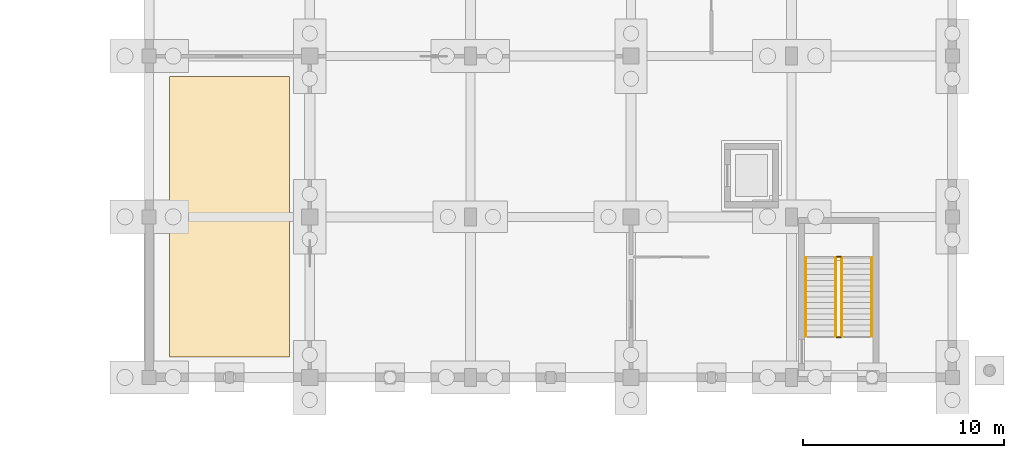
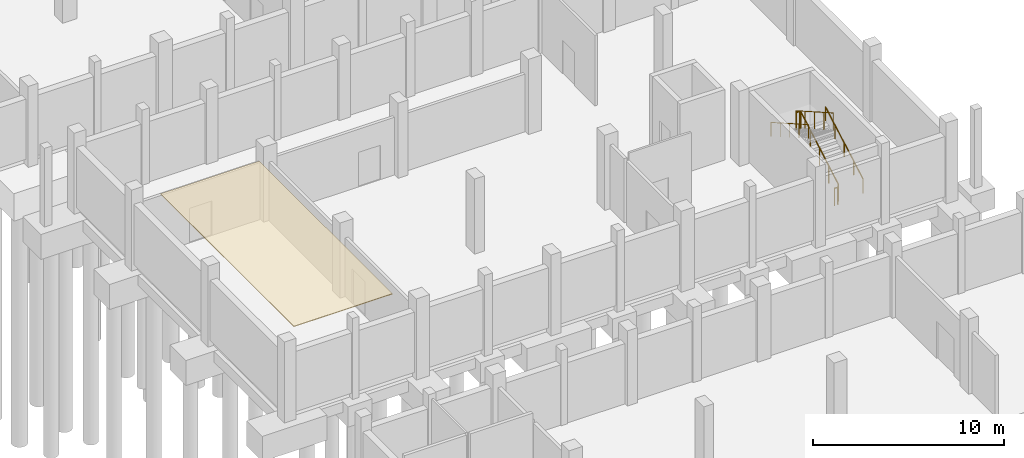
# One storey, part 50 of 52: 6 railings, 1 covering.
"""IFC4 building model written with IfcOpenShell, lengths in metres."""

import ifcopenshell
import ifcopenshell.guid

model = None  # the IFC model being written
_history = None  # IfcOwnerHistory: only IFC2X3 demands one
_inside = {}  # id of a spatial element -> (the spatial element, [elements in it])
_under = {}  # id of a project, library or spatial element -> (it, [spatial elements below it])
_declared = {}  # id of a project -> (the project, [libraries it declares])
_typed = {}  # id of a type object -> (the type object, [elements of that type])
_made_of = {}  # id of a material, layer set ... -> (it, [elements and type objects made of it])


def new_model(schema):
    """Start an empty IFC model of exactly this schema.

    Asked for "IFC4X3", IfcOpenShell would pick the latest addendum, in which some entities
    have other attributes; the version numbers below select the first issue.
    IFC2X3 requires an IfcOwnerHistory on every rooted entity: one is made here for all.
    """
    global model, _history
    if schema == "IFC4X3":
        model = ifcopenshell.file(schema_version=(4, 3, 0, 0))
    else:
        model = ifcopenshell.file(schema=schema)
    _inside.clear()
    _under.clear()
    _declared.clear()
    _typed.clear()
    _made_of.clear()
    _history = None
    if model.schema == "IFC2X3":
        org = make("IfcOrganization", Name="unknown")
        user = make(
            "IfcPersonAndOrganization",
            ThePerson=make("IfcPerson", FamilyName="unknown"),
            TheOrganization=org,
        )
        app = make(
            "IfcApplication",
            ApplicationDeveloper=org,
            Version="unknown",
            ApplicationFullName="unknown",
            ApplicationIdentifier="unknown",
        )
        _history = make(
            "IfcOwnerHistory",
            OwningUser=user,
            OwningApplication=app,
            ChangeAction="ADDED",
            CreationDate=0,
        )
    return model


def make(cls, **values):
    """One entity of the class cls with the attributes given. An attribute that is None is left unset."""
    return model.create_entity(
        cls, **{name: value for name, value in values.items() if value is not None}
    )


def rooted(cls, **values):
    """An entity with a GlobalId (a new one), such as an element, a storey or a relation."""
    return make(cls, GlobalId=ifcopenshell.guid.new(), OwnerHistory=_history, **values)


def si_unit(unit_type, name, prefix=None):
    """IfcSIUnit, for example si_unit("LENGTHUNIT", "METRE", prefix="MILLI")."""
    return make("IfcSIUnit", UnitType=unit_type, Prefix=prefix, Name=name)


def assignment(units):
    """IfcUnitAssignment: the units of a project."""
    return None if units is None else make("IfcUnitAssignment", Units=units)


def point(xyz):
    """IfcCartesianPoint."""
    return None if xyz is None else make("IfcCartesianPoint", Coordinates=xyz)


def direction(xyz):
    """IfcDirection."""
    return None if xyz is None else make("IfcDirection", DirectionRatios=xyz)


def frame(location, z_axis=None, x_axis=None):
    """IfcAxis2Placement3D, a coordinate frame: its origin and axes. An axis left out is left unset."""
    return make(
        "IfcAxis2Placement3D",
        Location=point(location),
        Axis=direction(z_axis),
        RefDirection=direction(x_axis),
    )


def frame_2d(location, x_axis=None):
    """IfcAxis2Placement2D, a coordinate frame in the plane: its origin and x axis."""
    return make(
        "IfcAxis2Placement2D", Location=point(location), RefDirection=direction(x_axis)
    )


def origin():
    """The frame at (0, 0, 0) with its axes left unset."""
    return frame((0.0, 0.0, 0.0))


def origin_2d():
    """The frame at (0, 0) in the plane with its x axis left unset."""
    return frame_2d((0.0, 0.0))


def place(relative_to, where):
    """IfcLocalPlacement: puts the frame where relative to a parent placement (None: the world)."""
    return make(
        "IfcLocalPlacement", PlacementRelTo=relative_to, RelativePlacement=where
    )


def context(
    kind, dimensions, precision=None, world=None, true_north=None, identifier=None
):
    """IfcGeometricRepresentationContext, for example the 3D "Model" context."""
    return make(
        "IfcGeometricRepresentationContext",
        ContextIdentifier=identifier,
        ContextType=kind,
        CoordinateSpaceDimension=dimensions,
        Precision=precision,
        WorldCoordinateSystem=world,
        TrueNorth=true_north,
    )


def subcontext(parent, identifier, kind, view, scale=None):
    """IfcGeometricRepresentationSubContext, for example "Body" below "Model"."""
    return make(
        "IfcGeometricRepresentationSubContext",
        ContextIdentifier=identifier,
        ContextType=kind,
        ParentContext=parent,
        TargetScale=scale,
        TargetView=view,
    )


def project(units=None, contexts=None):
    """IfcProject with its units and contexts."""
    return rooted(
        "IfcProject",
        Name="project",
        RepresentationContexts=contexts,
        UnitsInContext=assignment(units),
    )


def spatial(cls, under=None, at=None, **own):
    """A site, building, storey or space (cls), placed at a placement, below another one or the project."""
    s = rooted(cls, ObjectPlacement=at, **own)
    if under is not None:
        _under.setdefault(under.id(), (under, []))[1].append(s)
    return s


def polyline(points):
    """IfcPolyline through the points."""
    return make("IfcPolyline", Points=[point(p) for p in points])


def profile(cls, at=None, kind="AREA", **sizes):
    """A parametric profile (cls). Its sizes go by their IFC names, for example OverallWidth=200.0."""
    return make(cls, ProfileType=kind, Position=at, **sizes)


def circle(**sizes):
    """IfcCircleProfileDef."""
    return profile("IfcCircleProfileDef", **sizes)


def outline(outer, holes=None, kind="AREA"):
    """IfcArbitraryClosedProfileDef: a profile drawn as a closed curve; with holes, ...WithVoids."""
    if holes is None:
        return make("IfcArbitraryClosedProfileDef", ProfileType=kind, OuterCurve=outer)
    return make(
        "IfcArbitraryProfileDefWithVoids",
        ProfileType=kind,
        OuterCurve=outer,
        InnerCurves=holes,
    )


def extrude(swept, where, along, depth):
    """IfcExtrudedAreaSolid: the profile swept, set in the frame where, extruded along a direction by depth."""
    return make(
        "IfcExtrudedAreaSolid",
        SweptArea=swept,
        Position=where,
        ExtrudedDirection=direction(along),
        Depth=depth,
    )


def shape(context_of_items, identifier, shape_type, items):
    """IfcShapeRepresentation: the items that make up one representation, for example the "Body"."""
    return make(
        "IfcShapeRepresentation",
        ContextOfItems=context_of_items,
        RepresentationIdentifier=identifier,
        RepresentationType=shape_type,
        Items=items,
    )


def material(Name=None, Category=None):
    """IfcMaterial."""
    return make("IfcMaterial", Name=Name, Category=Category)


def layer(
    of_material, thickness, ventilated=None, Name=None, Category=None, Priority=None
):
    """IfcMaterialLayer: one layer of a wall or slab, of a material (None: an air gap)."""
    return make(
        "IfcMaterialLayer",
        Material=of_material,
        LayerThickness=thickness,
        IsVentilated=ventilated,
        Name=Name,
        Category=Category,
        Priority=Priority,
    )


def layer_set(layers, Name=None):
    """IfcMaterialLayerSet."""
    return make("IfcMaterialLayerSet", MaterialLayers=layers, LayerSetName=Name)


def made_of(thing, what):
    """Note that an element or type object is made of a material, layer set ...; save() writes the relation."""
    if what is not None:
        _made_of.setdefault(what.id(), (what, []))[1].append(thing)
    return thing


def type_object(cls, material=None, **own):
    """A type object (cls), such as IfcWallType, which elements share."""
    return made_of(rooted(cls, **own), material)


def element(
    cls,
    number,
    at=None,
    inside=None,
    cuts=None,
    type_object=None,
    material=None,
    context=None,
    identifier="Body",
    shape_type=None,
    held_by="IfcProductDefinitionShape",
    body=None,
    shapes=None,
    **own,
):
    """One element of the class cls, such as IfcWall. Its Tag is "e" and its number.

    at: its placement. inside: the storey or other place that contains it. cuts: it is an
    opening in that element (IfcRelVoidsElement). A single representation is given by context,
    identifier, shape_type and body (its items); several are given by shapes. held_by: the class
    of the entity that holds the representations. save() writes the other relations.
    """
    e = rooted(cls, Tag="e%d" % number, ObjectPlacement=at, **own)
    if body is not None:
        shapes = [shape(context, identifier, shape_type, body)]
    if shapes is not None:
        e.Representation = make(held_by, Representations=shapes)
    if inside is not None:
        _inside.setdefault(inside.id(), (inside, []))[1].append(e)
    if cuts is not None:
        rooted(
            "IfcRelVoidsElement", RelatingBuildingElement=cuts, RelatedOpeningElement=e
        )
    if type_object is not None:
        _typed.setdefault(type_object.id(), (type_object, []))[1].append(e)
    return made_of(e, material)


def aggregate(whole, parts):
    """IfcRelAggregates: a whole, such as a stair, and the parts it consists of."""
    return rooted("IfcRelAggregates", RelatingObject=whole, RelatedObjects=parts)


def save(model, path):
    """Write the relations noted so far, then the file.

    IfcRelAggregates (storeys below a building ...), IfcRelContainedInSpatialStructure (elements
    in a storey), IfcRelDefinesByType, IfcRelAssociatesMaterial and IfcRelDeclares: one each for
    every whole, place, type object, material and project.
    """
    for whole, parts in _under.values():
        aggregate(whole, parts)
    for where, things in _inside.values():
        rooted(
            "IfcRelContainedInSpatialStructure",
            RelatedElements=things,
            RelatingStructure=where,
        )
    for kind, things in _typed.values():
        rooted("IfcRelDefinesByType", RelatedObjects=things, RelatingType=kind)
    for what, things in _made_of.values():
        rooted("IfcRelAssociatesMaterial", RelatedObjects=things, RelatingMaterial=what)
    for by, libraries in _declared.values():
        rooted("IfcRelDeclares", RelatingContext=by, RelatedDefinitions=libraries)
    model.write(path)


model = new_model("IFC4")

# Units and contexts
model_context = context("Model", 3, precision=1e-05, world=origin(), true_north=direction((0.0, 1.0)))
body_context = subcontext(model_context, "Body", "Model", "MODEL_VIEW")
ifc_project = project(units=[si_unit("LENGTHUNIT", "METRE"), si_unit("AREAUNIT", "SQUARE_METRE"), si_unit("VOLUMEUNIT", "CUBIC_METRE"), si_unit("PLANEANGLEUNIT", "RADIAN"), si_unit("MASSUNIT", "GRAM", prefix="KILO")], contexts=[model_context])

# Site, building, storey
site_placement = place(None, origin())
site = spatial("IfcSite", under=ifc_project, at=site_placement, CompositionType="ELEMENT")
building_placement = place(site_placement, origin())
building = spatial("IfcBuilding", under=site, at=building_placement, Name="Luwemba Playhouse", CompositionType="ELEMENT")
storey_placement = place(building_placement, frame((0.0, 0.0, -4.800048828125)))
storey = spatial("IfcBuildingStorey", under=building, at=storey_placement, Name="B1", CompositionType="ELEMENT", Elevation=-4.800048828125)

# Covering
ifc_material_1 = material(Name="Perforated acoustic gypsum and timber baffle ceiling", Category="wood")
ifc_layer = layer(ifc_material_1, 0.044921875)
ifc_layer_set = layer_set([ifc_layer], Name="Perforated acoustic gypsum and timber baffle ceiling")
covering_type = type_object("IfcCoveringType", Name="COV-CEIL-AC", PredefinedType="CEILING", material=ifc_layer_set)
covering_placement = place(storey_placement, frame((0.0, 0.0, 4.455078125)))
element("IfcCovering", 1, at=covering_placement, inside=storey, type_object=covering_type, Name="B1 Multi-Track Music Recording Studio acoustic ceiling cloud", PredefinedType="CEILING", context=body_context, shape_type="SweptSolid", body=[
    extrude(outline(polyline([(133.02001953125, 69.02001953125), (138.97998046875, 69.02001953125), (138.97998046875, 82.97998046875), (133.02001953125, 82.97998046875), (133.02001953125, 69.02001953125)])), origin(), (0.0, 0.0, 1.0), 0.044921875),
])

# Railings
ifc_material_2 = material(Name="Painted wrought-iron gallery balustrade", Category="steel")
railing_type_1 = type_object("IfcRailingType", Name="RLG-BAL-INT", PredefinedType="BALUSTRADE", material=ifc_material_2)
railing_1_placement = place(storey_placement, frame((166.5, 70.0400390625, 0.16015625)))
element("IfcRailing", 2, at=railing_1_placement, inside=storey, type_object=railing_type_1, Name="B1 ST-07 stair guard 1", PredefinedType="BALUSTRADE", context=body_context, shape_type="SweptSolid", body=[
    extrude(circle(Radius=0.02392578125, at=origin_2d()), frame((0.0, 0.0, 1.09619140625), z_axis=(0.0, 0.868239814368, 0.496144761885), x_axis=(-1.0, 0.0, 0.0)), (0.0, 0.0, 1.0), 4.514892578125),
    extrude(circle(Radius=0.02099609375, at=origin_2d()), origin(), (0.0, 0.0, 1.0), 1.072021484375),
    extrude(circle(Radius=0.02099609375, at=origin_2d()), frame((0.0, 0.97998046875, 0.56005859375)), (0.0, 0.0, 1.0), 1.072021484375),
    extrude(circle(Radius=0.02099609375, at=origin_2d()), frame((0.0, 1.9599609375, 1.1201171875)), (0.0, 0.0, 1.0), 1.072021484375),
    extrude(circle(Radius=0.02099609375, at=origin_2d()), frame((0.0, 2.93994140625, 1.679931640625)), (0.0, 0.0, 1.0), 1.072021484375),
    extrude(circle(Radius=0.02099609375, at=origin_2d()), frame((0.0, 3.919921875, 2.239990234375)), (0.0, 0.0, 1.0), 1.072021484375),
])
railing_2_placement = place(storey_placement, frame((166.449951171875, 74.010009765625, 2.400146484375)))
element("IfcRailing", 3, at=railing_2_placement, inside=storey, type_object=railing_type_1, Name="B1 ST-07 stair guard 2", PredefinedType="BALUSTRADE", context=body_context, shape_type="SweptSolid", body=[
    extrude(circle(Radius=0.02392578125, at=origin_2d()), frame((0.0, 0.0, 1.09619140625), z_axis=(-1.0, 0.0, 0.0), x_axis=(0.0, -1.0, 0.0)), (0.0, 0.0, 1.0), 0.199951171875),
    extrude(circle(Radius=0.02099609375, at=origin_2d()), origin(), (0.0, 0.0, 1.0), 1.072021484375),
    extrude(circle(Radius=0.02099609375, at=origin_2d()), frame((-0.199951171875, 0.0, 0.0)), (0.0, 0.0, 1.0), 1.072021484375),
])
railing_3_placement = place(storey_placement, frame((166.199951171875, 73.9599609375, 2.56005859375)))
element("IfcRailing", 4, at=railing_3_placement, inside=storey, type_object=railing_type_1, Name="B1 ST-07 stair guard 3", PredefinedType="BALUSTRADE", context=body_context, shape_type="SweptSolid", body=[
    extrude(circle(Radius=0.02392578125, at=origin_2d()), frame((0.0, 0.0, 1.09619140625), z_axis=(0.0, -0.868239814368, 0.496144761885), x_axis=(1.0, 0.0, 0.0)), (0.0, 0.0, 1.0), 4.514892578125),
    extrude(circle(Radius=0.02099609375, at=origin_2d()), origin(), (0.0, 0.0, 1.0), 1.072021484375),
    extrude(circle(Radius=0.02099609375, at=origin_2d()), frame((0.0, -0.97998046875, 0.56005859375)), (0.0, 0.0, 1.0), 1.072021484375),
    extrude(circle(Radius=0.02099609375, at=origin_2d()), frame((0.0, -1.9599609375, 1.1201171875)), (0.0, 0.0, 1.0), 1.072021484375),
    extrude(circle(Radius=0.02099609375, at=origin_2d()), frame((0.0, -2.93994140625, 1.679931640625)), (0.0, 0.0, 1.0), 1.072021484375),
    extrude(circle(Radius=0.02099609375, at=origin_2d()), frame((0.0, -3.919921875, 2.239990234375)), (0.0, 0.0, 1.0), 1.072021484375),
])
railing_4_placement = place(storey_placement, frame((166.449951171875, 69.989990234375, 0.0)))
element("IfcRailing", 5, at=railing_4_placement, inside=storey, type_object=railing_type_1, Name="B1 ST-07 stair guard 4", PredefinedType="BALUSTRADE", context=body_context, shape_type="SweptSolid", body=[
    extrude(circle(Radius=0.02392578125, at=origin_2d()), frame((0.0, 0.0, 1.09619140625), z_axis=(-1.0, 0.0, 0.0), x_axis=(0.0, -1.0, 0.0)), (0.0, 0.0, 1.0), 0.199951171875),
    extrude(circle(Radius=0.02099609375, at=origin_2d()), origin(), (0.0, 0.0, 1.0), 1.072021484375),
    extrude(circle(Radius=0.02099609375, at=origin_2d()), frame((-0.199951171875, 0.0, 0.0)), (0.0, 0.0, 1.0), 1.072021484375),
])
ifc_material_3 = material(Name="Hardwood and bronze handrail", Category="wood")
railing_type_2 = type_object("IfcRailingType", Name="RLG-HR-INT", PredefinedType="HANDRAIL", material=ifc_material_3)
railing_5_placement = place(storey_placement, frame((168.0, 70.0400390625, 0.16015625)))
element("IfcRailing", 6, at=railing_5_placement, inside=storey, type_object=railing_type_2, Name="B1 ST-07 stair handrail 1", PredefinedType="HANDRAIL", context=body_context, shape_type="SweptSolid", body=[
    extrude(circle(Radius=0.02392578125, at=origin_2d()), frame((0.0, 0.0, 0.8759765625), z_axis=(0.0, 0.868239814368, 0.496144761885), x_axis=(-1.0, 0.0, 0.0)), (0.0, 0.0, 1.0), 4.514892578125),
    extrude(circle(Radius=0.02099609375, at=origin_2d()), origin(), (0.0, 0.0, 1.0), 0.851806640625),
    extrude(circle(Radius=0.02099609375, at=origin_2d()), frame((0.0, 0.97998046875, 0.56005859375)), (0.0, 0.0, 1.0), 0.851806640625),
    extrude(circle(Radius=0.02099609375, at=origin_2d()), frame((0.0, 1.9599609375, 1.1201171875)), (0.0, 0.0, 1.0), 0.851806640625),
    extrude(circle(Radius=0.02099609375, at=origin_2d()), frame((0.0, 2.93994140625, 1.679931640625)), (0.0, 0.0, 1.0), 0.851806640625),
    extrude(circle(Radius=0.02099609375, at=origin_2d()), frame((0.0, 3.919921875, 2.239990234375)), (0.0, 0.0, 1.0), 0.851806640625),
])
railing_6_placement = place(storey_placement, frame((164.699951171875, 73.9599609375, 2.56005859375)))
element("IfcRailing", 7, at=railing_6_placement, inside=storey, type_object=railing_type_2, Name="B1 ST-07 stair handrail 2", PredefinedType="HANDRAIL", context=body_context, shape_type="SweptSolid", body=[
    extrude(circle(Radius=0.02392578125, at=origin_2d()), frame((0.0, 0.0, 0.8759765625), z_axis=(0.0, -0.868239814368, 0.496144761885), x_axis=(1.0, 0.0, 0.0)), (0.0, 0.0, 1.0), 4.514892578125),
    extrude(circle(Radius=0.02099609375, at=origin_2d()), origin(), (0.0, 0.0, 1.0), 0.851806640625),
    extrude(circle(Radius=0.02099609375, at=origin_2d()), frame((0.0, -0.97998046875, 0.56005859375)), (0.0, 0.0, 1.0), 0.851806640625),
    extrude(circle(Radius=0.02099609375, at=origin_2d()), frame((0.0, -1.9599609375, 1.1201171875)), (0.0, 0.0, 1.0), 0.851806640625),
    extrude(circle(Radius=0.02099609375, at=origin_2d()), frame((0.0, -2.93994140625, 1.679931640625)), (0.0, 0.0, 1.0), 0.851806640625),
    extrude(circle(Radius=0.02099609375, at=origin_2d()), frame((0.0, -3.919921875, 2.239990234375)), (0.0, 0.0, 1.0), 0.851806640625),
])

save(model, "model.ifc")
